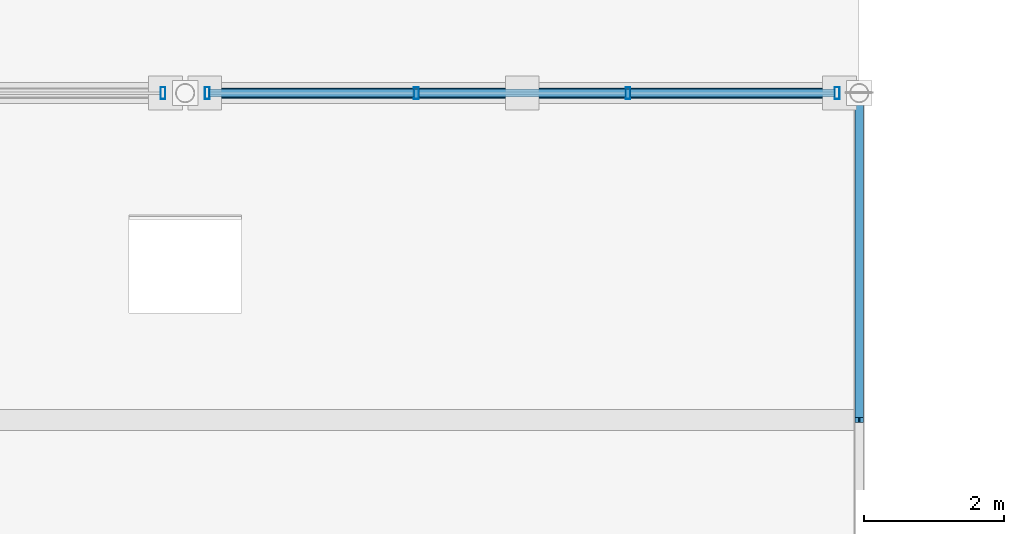
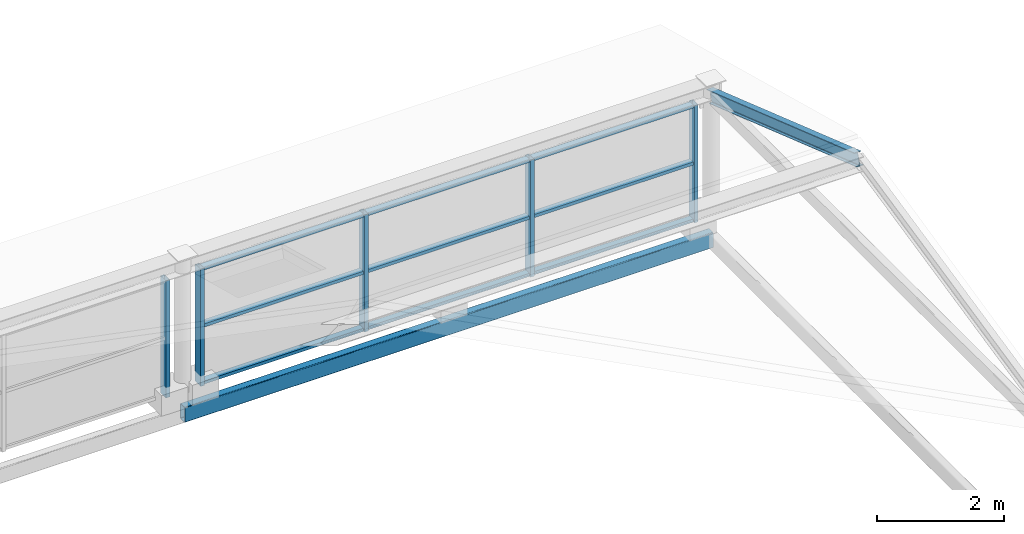
# One storey, part 73 of 117: 15 members, 1 beam, 2 elements without a shape of their own.
"""IFC4 building model written with IfcOpenShell, lengths in metres."""

from ifc_helpers import new_model, si_unit, direction, frame, origin, origin_2d, place, context, subcontext, project, spatial, hollow_rectangle, i_section, extrude, material, material_profile, profile_set, type_object, element, aggregate, save


model = new_model("IFC4")

# Units and contexts
model_context = context("Model", 3, precision=1e-05, world=origin(), true_north=direction((0.0, 1.0)))
body_context = subcontext(model_context, "Body", "Model", "MODEL_VIEW")
ifc_project = project(units=[si_unit("LENGTHUNIT", "METRE"), si_unit("AREAUNIT", "SQUARE_METRE"), si_unit("VOLUMEUNIT", "CUBIC_METRE"), si_unit("PLANEANGLEUNIT", "RADIAN"), si_unit("MASSUNIT", "GRAM", prefix="KILO")], contexts=[model_context])

# Site, building, storey
site_placement = place(None, origin())
site = spatial("IfcSite", under=ifc_project, at=site_placement, CompositionType="ELEMENT")
building_placement = place(site_placement, origin())
building = spatial("IfcBuilding", under=site, at=building_placement, Name="Merenkruunu Market Hall", CompositionType="ELEMENT")
storey_placement = place(building_placement, frame((0.0, 0.0, 10.199951171875)))
storey = spatial("IfcBuildingStorey", under=building, at=storey_placement, Name="L02", CompositionType="ELEMENT", Elevation=10.199951171875)

# Curtain wall, member
ifc_material_1 = material(Name="Powder-coated aluminium", Category="aluminium")
curtain_wall_type = type_object("IfcCurtainWallType", Name="Glazed Curtain Wall CW16", PredefinedType="USERDEFINED", material=ifc_material_1)
curtain_wall_1_placement = place(storey_placement, origin())
curtain_wall_1 = element("IfcCurtainWall", 1, at=curtain_wall_1_placement, inside=storey, type_object=curtain_wall_type, Name="CW-L02-CWM04-144", ObjectType="GLAZED_FACADE", PredefinedType="USERDEFINED")
ifc_material_profile_1 = material_profile(ifc_material_1, hollow_rectangle(XDim=0.070068359375, YDim=0.169921875, WallThickness=0.0048828125, at=origin_2d()), Name="ALU 70x170x5")
ifc_profile_set_1 = profile_set([ifc_material_profile_1], Name="Powder-coated aluminium")
member_type_1 = type_object("IfcMemberType", Name="Curtain Wall Mullion CWM04", PredefinedType="MULLION", material=ifc_profile_set_1)
member_1_placement = place(storey_placement, frame((66.885009765625, 99.60009765625, 0.0), z_axis=(0.0, 0.0, 1.0), x_axis=(1.0, 0.0, 0.0)))
member_1 = element("IfcMember", 2, at=member_1_placement, type_object=member_type_1, Name="CW16 mullion 4", PredefinedType="MULLION", context=body_context, shape_type="SweptSolid", body=[
    extrude(hollow_rectangle(XDim=0.070068359375, YDim=0.169921875, WallThickness=0.0048828125, at=origin_2d()), origin(), (0.0, 0.0, 1.0), 2.25),
])
aggregate(curtain_wall_1, [member_1])

# Curtain wall, members
curtain_wall_2_placement = place(storey_placement, origin())
curtain_wall_2 = element("IfcCurtainWall", 3, at=curtain_wall_2_placement, inside=storey, type_object=curtain_wall_type, Name="CW-L02-CWM04-150", ObjectType="GLAZED_FACADE", PredefinedType="USERDEFINED")
member_2_placement = place(storey_placement, frame((67.514892578125, 99.60009765625, 0.0), z_axis=(0.0, 0.0, 1.0), x_axis=(1.0, 0.0, 0.0)))
member_2 = element("IfcMember", 4, at=member_2_placement, type_object=member_type_1, Name="CW16 mullion 1", PredefinedType="MULLION", context=body_context, shape_type="SweptSolid", body=[
    extrude(hollow_rectangle(XDim=0.070068359375, YDim=0.169921875, WallThickness=0.0048828125, at=origin_2d()), origin(), (0.0, 0.0, 1.0), 2.25),
])
member_3_placement = place(storey_placement, frame((70.493408203125, 99.60009765625, 0.0), z_axis=(0.0, 0.0, 1.0), x_axis=(1.0, 0.0, 0.0)))
member_3 = element("IfcMember", 5, at=member_3_placement, type_object=member_type_1, Name="CW16 mullion 2", PredefinedType="MULLION", context=body_context, shape_type="SweptSolid", body=[
    extrude(hollow_rectangle(XDim=0.070068359375, YDim=0.169921875, WallThickness=0.0048828125, at=origin_2d()), origin(), (0.0, 0.0, 1.0), 2.25),
])
member_4_placement = place(storey_placement, frame((73.506591796875, 99.60009765625, 0.0), z_axis=(0.0, 0.0, 1.0), x_axis=(1.0, 0.0, 0.0)))
member_4 = element("IfcMember", 6, at=member_4_placement, type_object=member_type_1, Name="CW16 mullion 3", PredefinedType="MULLION", context=body_context, shape_type="SweptSolid", body=[
    extrude(hollow_rectangle(XDim=0.070068359375, YDim=0.169921875, WallThickness=0.0048828125, at=origin_2d()), origin(), (0.0, 0.0, 1.0), 2.25),
])
member_5_placement = place(storey_placement, frame((76.485107421875, 99.60009765625, 0.0), z_axis=(0.0, 0.0, 1.0), x_axis=(1.0, 0.0, 0.0)))
member_5 = element("IfcMember", 7, at=member_5_placement, type_object=member_type_1, Name="CW16 mullion 4", PredefinedType="MULLION", context=body_context, shape_type="SweptSolid", body=[
    extrude(hollow_rectangle(XDim=0.070068359375, YDim=0.169921875, WallThickness=0.0048828125, at=origin_2d()), origin(), (0.0, 0.0, 1.0), 2.25),
])
ifc_material_profile_2 = material_profile(ifc_material_1, hollow_rectangle(XDim=0.06005859375, YDim=0.110107421875, WallThickness=0.00390625, at=origin_2d()), Name="ALU 60x110x4")
ifc_profile_set_2 = profile_set([ifc_material_profile_2], Name="Powder-coated aluminium")
member_type_2 = type_object("IfcMemberType", Name="Curtain Wall Transom CWT03", PredefinedType="USERDEFINED", material=ifc_profile_set_2)
member_6_placement = place(storey_placement, frame((67.550048828125, 99.60009765625, 0.030029296875), z_axis=(1.0, 0.0, 0.0), x_axis=(0.0, 0.0, 1.0)))
member_6 = element("IfcMember", 8, at=member_6_placement, type_object=member_type_2, Name="CW16 transom 1.1", ObjectType="TRANSOM", PredefinedType="USERDEFINED", context=body_context, shape_type="SweptSolid", body=[
    extrude(hollow_rectangle(XDim=0.06005859375, YDim=0.110107421875, WallThickness=0.00390625, at=origin_2d()), origin(), (0.0, 0.0, 1.0), 2.908203125),
])
member_7_placement = place(storey_placement, frame((67.550048828125, 99.60009765625, 1.125), z_axis=(1.0, 0.0, 0.0), x_axis=(0.0, 0.0, 1.0)))
member_7 = element("IfcMember", 9, at=member_7_placement, type_object=member_type_2, Name="CW16 transom 1.2", ObjectType="TRANSOM", PredefinedType="USERDEFINED", context=body_context, shape_type="SweptSolid", body=[
    extrude(hollow_rectangle(XDim=0.06005859375, YDim=0.110107421875, WallThickness=0.00390625, at=origin_2d()), origin(), (0.0, 0.0, 1.0), 2.908203125),
])
member_8_placement = place(storey_placement, frame((67.550048828125, 99.60009765625, 2.219970703125), z_axis=(1.0, 0.0, 0.0), x_axis=(0.0, 0.0, 1.0)))
member_8 = element("IfcMember", 10, at=member_8_placement, type_object=member_type_2, Name="CW16 transom 1.3", ObjectType="TRANSOM", PredefinedType="USERDEFINED", context=body_context, shape_type="SweptSolid", body=[
    extrude(hollow_rectangle(XDim=0.06005859375, YDim=0.110107421875, WallThickness=0.00390625, at=origin_2d()), origin(), (0.0, 0.0, 1.0), 2.908203125),
])
member_9_placement = place(storey_placement, frame((70.5283203125, 99.60009765625, 0.030029296875), z_axis=(1.0, 0.0, 0.0), x_axis=(0.0, 0.0, 1.0)))
member_9 = element("IfcMember", 11, at=member_9_placement, type_object=member_type_2, Name="CW16 transom 2.1", ObjectType="TRANSOM", PredefinedType="USERDEFINED", context=body_context, shape_type="SweptSolid", body=[
    extrude(hollow_rectangle(XDim=0.06005859375, YDim=0.110107421875, WallThickness=0.00390625, at=origin_2d()), origin(), (0.0, 0.0, 1.0), 2.943359375),
])
member_10_placement = place(storey_placement, frame((70.5283203125, 99.60009765625, 1.125), z_axis=(1.0, 0.0, 0.0), x_axis=(0.0, 0.0, 1.0)))
member_10 = element("IfcMember", 12, at=member_10_placement, type_object=member_type_2, Name="CW16 transom 2.2", ObjectType="TRANSOM", PredefinedType="USERDEFINED", context=body_context, shape_type="SweptSolid", body=[
    extrude(hollow_rectangle(XDim=0.06005859375, YDim=0.110107421875, WallThickness=0.00390625, at=origin_2d()), origin(), (0.0, 0.0, 1.0), 2.943359375),
])
member_11_placement = place(storey_placement, frame((70.5283203125, 99.60009765625, 2.219970703125), z_axis=(1.0, 0.0, 0.0), x_axis=(0.0, 0.0, 1.0)))
member_11 = element("IfcMember", 13, at=member_11_placement, type_object=member_type_2, Name="CW16 transom 2.3", ObjectType="TRANSOM", PredefinedType="USERDEFINED", context=body_context, shape_type="SweptSolid", body=[
    extrude(hollow_rectangle(XDim=0.06005859375, YDim=0.110107421875, WallThickness=0.00390625, at=origin_2d()), origin(), (0.0, 0.0, 1.0), 2.943359375),
])
member_12_placement = place(storey_placement, frame((73.541748046875, 99.60009765625, 0.030029296875), z_axis=(1.0, 0.0, 0.0), x_axis=(0.0, 0.0, 1.0)))
member_12 = element("IfcMember", 14, at=member_12_placement, type_object=member_type_2, Name="CW16 transom 3.1", ObjectType="TRANSOM", PredefinedType="USERDEFINED", context=body_context, shape_type="SweptSolid", body=[
    extrude(hollow_rectangle(XDim=0.06005859375, YDim=0.110107421875, WallThickness=0.00390625, at=origin_2d()), origin(), (0.0, 0.0, 1.0), 2.908203125),
])
member_13_placement = place(storey_placement, frame((73.541748046875, 99.60009765625, 1.125), z_axis=(1.0, 0.0, 0.0), x_axis=(0.0, 0.0, 1.0)))
member_13 = element("IfcMember", 15, at=member_13_placement, type_object=member_type_2, Name="CW16 transom 3.2", ObjectType="TRANSOM", PredefinedType="USERDEFINED", context=body_context, shape_type="SweptSolid", body=[
    extrude(hollow_rectangle(XDim=0.06005859375, YDim=0.110107421875, WallThickness=0.00390625, at=origin_2d()), origin(), (0.0, 0.0, 1.0), 2.908203125),
])
member_14_placement = place(storey_placement, frame((73.541748046875, 99.60009765625, 2.219970703125), z_axis=(1.0, 0.0, 0.0), x_axis=(0.0, 0.0, 1.0)))
member_14 = element("IfcMember", 16, at=member_14_placement, type_object=member_type_2, Name="CW16 transom 3.3", ObjectType="TRANSOM", PredefinedType="USERDEFINED", context=body_context, shape_type="SweptSolid", body=[
    extrude(hollow_rectangle(XDim=0.06005859375, YDim=0.110107421875, WallThickness=0.00390625, at=origin_2d()), origin(), (0.0, 0.0, 1.0), 2.908203125),
])
aggregate(curtain_wall_2, [member_2, member_3, member_4, member_5, member_6, member_7, member_8, member_9, member_10, member_11, member_12, member_13, member_14])

# Beam
ifc_material_2 = material(Name="Steel S355J2", Category="steel")
ifc_material_profile_3 = material_profile(ifc_material_2, hollow_rectangle(XDim=0.14990234375, YDim=0.300048828125, WallThickness=0.012451171875, InnerFilletRadius=0.012451171875, OuterFilletRadius=0.02490234375, at=origin_2d()), Name="RHS 300x150x12.5")
ifc_profile_set_3 = profile_set([ifc_material_profile_3], Name="Steel S355J2")
beam_type = type_object("IfcBeamType", Name="Perimeter Spandrel Beam SP03", PredefinedType="SPANDREL", material=ifc_profile_set_3)
beam_placement = place(storey_placement, frame((67.199951171875, 99.60009765625, -0.4599609375), z_axis=(1.0, 0.0, 0.0), x_axis=(0.0, 1.0, 0.0)))
element("IfcBeam", 17, at=beam_placement, inside=storey, type_object=beam_type, Name="BM-L02-SP03-1264", PredefinedType="SPANDREL", context=body_context, shape_type="SweptSolid", body=[
    extrude(hollow_rectangle(XDim=0.14990234375, YDim=0.300048828125, WallThickness=0.012451171875, InnerFilletRadius=0.012451171875, OuterFilletRadius=0.02490234375, at=origin_2d()), origin(), (0.0, 0.0, 1.0), 9.60009765625),
])

# Member
ifc_material_3 = material(Name="Steel S355ML", Category="steel")
ifc_material_profile_4 = material_profile(ifc_material_3, i_section(OverallWidth=0.1201171875, OverallDepth=0.239990234375, WebThickness=0.006103515625, FlangeThickness=0.009765625, FilletRadius=0.014892578125, at=origin_2d()), Name="IPE 240")
ifc_profile_set_4 = profile_set([ifc_material_profile_4], Name="Steel S355ML")
member_type_3 = type_object("IfcMemberType", Name="Roof Purlin Rafter PR02", PredefinedType="PURLIN", material=ifc_profile_set_4)
member_15_placement = place(storey_placement, frame((76.800048828125, 94.944091796875, 3.880126953125), z_axis=(0.0, 0.945711845699, -0.325006315176), x_axis=(-1.0, 0.0, 0.0)))
element("IfcMember", 18, at=member_15_placement, inside=storey, type_object=member_type_3, Name="MEM-V4-SAWR-028", PredefinedType="PURLIN", context=body_context, shape_type="SweptSolid", body=[
    extrude(i_section(OverallWidth=0.1201171875, OverallDepth=0.239990234375, WebThickness=0.006103515625, FlangeThickness=0.009765625, FilletRadius=0.014892578125, at=origin_2d()), origin(), (0.0, 0.0, 1.0), 4.92333984375),
])

save(model, "model.ifc")
